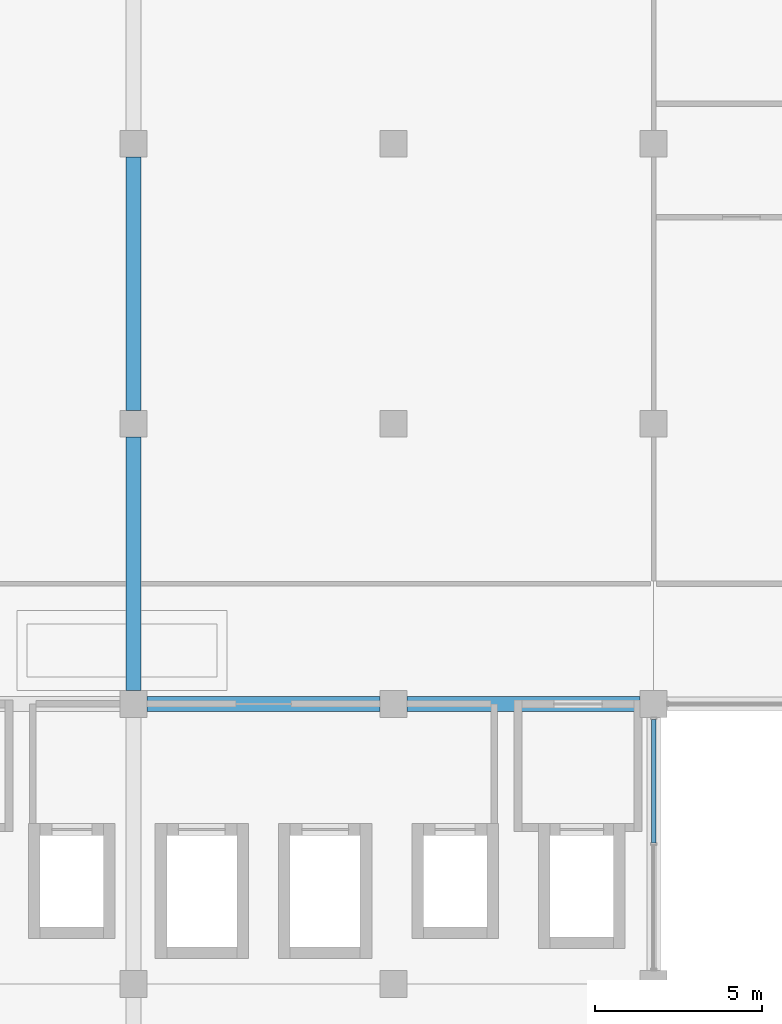
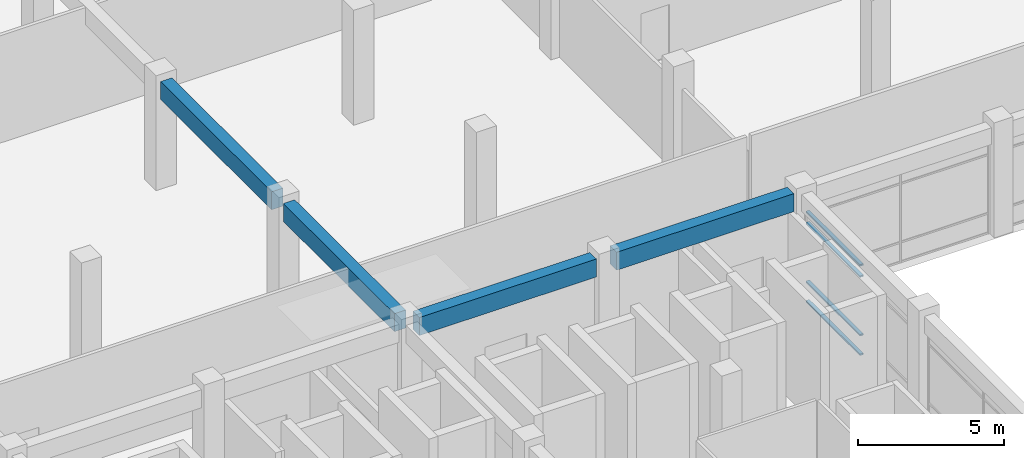
# One storey, part 5 of 62: 4 beams, 4 members, 1 element without a shape of its own.
"""IFC4 building model written with IfcOpenShell, lengths in metres."""

from ifc_helpers import new_model, si_unit, direction, frame, origin, origin_2d, place, context, subcontext, project, spatial, rectangle, hollow_rectangle, extrude, material, material_profile, profile_set, type_object, element, aggregate, save


model = new_model("IFC4")

# Units and contexts
model_context = context("Model", 3, precision=1e-05, world=origin(), true_north=direction((0.0, 1.0)))
body_context = subcontext(model_context, "Body", "Model", "MODEL_VIEW")
ifc_project = project(units=[si_unit("LENGTHUNIT", "METRE"), si_unit("AREAUNIT", "SQUARE_METRE"), si_unit("VOLUMEUNIT", "CUBIC_METRE"), si_unit("PLANEANGLEUNIT", "RADIAN"), si_unit("MASSUNIT", "GRAM", prefix="KILO"), si_unit("THERMODYNAMICTEMPERATUREUNIT", "KELVIN"), si_unit("POWERUNIT", "WATT")], contexts=[model_context])

# Site, building, storey
site_placement = place(None, origin())
site = spatial("IfcSite", under=ifc_project, at=site_placement, CompositionType="ELEMENT")
building_placement = place(site_placement, origin())
building = spatial("IfcBuilding", under=site, at=building_placement, Name="Srebrne Nadtorze General Hospital", CompositionType="ELEMENT")
storey_placement = place(building_placement, frame((0.0, 0.0, 9.60009765625)))
storey = spatial("IfcBuildingStorey", under=building, at=storey_placement, Name="L02", CompositionType="ELEMENT", Elevation=9.60009765625)

# Curtain wall, members
ifc_material_1 = material(Name="Anodised Aluminium", Category="aluminium")
curtain_wall_type = type_object("IfcCurtainWallType", Name="Unitised curtain wall 7600x3800", PredefinedType="NOTDEFINED", material=ifc_material_1)
curtain_wall_placement = place(storey_placement, origin())
curtain_wall = element("IfcCurtainWall", 1, at=curtain_wall_placement, inside=storey, type_object=curtain_wall_type, Name="Curtain wall CW-083", PredefinedType="NOTDEFINED")
ifc_material_2 = material(Name="Anodised Aluminium", Category="aluminium")
ifc_material_profile_1 = material_profile(ifc_material_2, hollow_rectangle(XDim=0.06494140625, YDim=0.139892578125, WallThickness=0.00390625, at=origin_2d()), Name="AL-TRN-65x140")
ifc_profile_set_1 = profile_set([ifc_material_profile_1], Name="Anodised Aluminium")
member_type = type_object("IfcMemberType", Name="Curtain transom 65x140", PredefinedType="USERDEFINED", material=ifc_profile_set_1)
member_1_placement = place(storey_placement, frame((54.60009765625, 46.232421875, 0.032470703125), z_axis=(0.0, 1.0, 0.0), x_axis=(0.0, 0.0, 1.0)))
member_1 = element("IfcMember", 2, at=member_1_placement, type_object=member_type, Name="CW-083 transom 2.1", ObjectType="TRANSOM", PredefinedType="USERDEFINED", context=body_context, shape_type="SweptSolid", body=[
    extrude(hollow_rectangle(XDim=0.06494140625, YDim=0.139892578125, WallThickness=0.00390625, at=origin_2d()), origin(), (0.0, 0.0, 1.0), 3.70263671875),
])
member_2_placement = place(storey_placement, frame((54.60009765625, 46.232421875, 0.849853515625), z_axis=(0.0, 1.0, 0.0), x_axis=(0.0, 0.0, 1.0)))
member_2 = element("IfcMember", 3, at=member_2_placement, type_object=member_type, Name="CW-083 transom 2.2", ObjectType="TRANSOM", PredefinedType="USERDEFINED", context=body_context, shape_type="SweptSolid", body=[
    extrude(hollow_rectangle(XDim=0.06494140625, YDim=0.139892578125, WallThickness=0.00390625, at=origin_2d()), origin(), (0.0, 0.0, 1.0), 3.70263671875),
])
member_3_placement = place(storey_placement, frame((54.60009765625, 46.232421875, 3.2998046875), z_axis=(0.0, 1.0, 0.0), x_axis=(0.0, 0.0, 1.0)))
member_3 = element("IfcMember", 4, at=member_3_placement, type_object=member_type, Name="CW-083 transom 2.3", ObjectType="TRANSOM", PredefinedType="USERDEFINED", context=body_context, shape_type="SweptSolid", body=[
    extrude(hollow_rectangle(XDim=0.06494140625, YDim=0.139892578125, WallThickness=0.00390625, at=origin_2d()), origin(), (0.0, 0.0, 1.0), 3.70263671875),
])
member_4_placement = place(storey_placement, frame((54.60009765625, 46.232421875, 3.767333984375), z_axis=(0.0, 1.0, 0.0), x_axis=(0.0, 0.0, 1.0)))
member_4 = element("IfcMember", 5, at=member_4_placement, type_object=member_type, Name="CW-083 transom 2.4", ObjectType="TRANSOM", PredefinedType="USERDEFINED", context=body_context, shape_type="SweptSolid", body=[
    extrude(hollow_rectangle(XDim=0.06494140625, YDim=0.139892578125, WallThickness=0.00390625, at=origin_2d()), origin(), (0.0, 0.0, 1.0), 3.70263671875),
])
aggregate(curtain_wall, [member_1, member_2, member_3, member_4])

# Beams
ifc_material_3 = material(Name="Concrete C40/50", Category="concrete")
ifc_material_profile_2 = material_profile(ifc_material_3, rectangle(XDim=0.449951171875, YDim=0.75, at=origin_2d()), Name="RC-BM-450x750")
ifc_profile_set_2 = profile_set([ifc_material_profile_2], Name="Concrete C40/50")
beam_type = type_object("IfcBeamType", Name="Primary beam RC 450x750", PredefinedType="BEAM", material=ifc_profile_set_2)
for number, where, z_axis, x_axis, name in (
    (6, (39.39990234375, 50.39990234375, 4.125), (1.0, 0.0, 0.0), (0.0, 1.0, 0.0), "Beam BM-L02-X-0580"),
    (7, (47.199951171875, 50.39990234375, 4.125), (1.0, 0.0, 0.0), (0.0, 1.0, 0.0), "Beam BM-L02-X-0581"),
):
    element("IfcBeam", number, at=place(storey_placement, frame(where, z_axis=z_axis, x_axis=x_axis)), inside=storey, type_object=beam_type, Name=name, PredefinedType="BEAM", context=body_context, shape_type="SweptSolid", body=[
        extrude(rectangle(XDim=0.449951171875, YDim=0.75, at=origin_2d()), origin(), (0.0, 0.0, 1.0), 7.0),
    ])
beam_1_placement = place(storey_placement, frame((39.0, 50.800048828125, 4.125), z_axis=(0.0, 1.0, 0.0), x_axis=(-1.0, 0.0, 0.0)))
element("IfcBeam", 8, at=beam_1_placement, inside=storey, type_object=beam_type, Name="Beam BM-L02-Y-0650", PredefinedType="BEAM", context=body_context, shape_type="SweptSolid", body=[
    extrude(rectangle(XDim=0.449951171875, YDim=0.75, at=origin_2d()), origin(), (0.0, 0.0, 1.0), 7.599853515625),
])
beam_2_placement = place(storey_placement, frame((39.0, 59.199951171875, 4.125), z_axis=(0.0, 1.0, 0.0), x_axis=(-1.0, 0.0, 0.0)))
element("IfcBeam", 9, at=beam_2_placement, inside=storey, type_object=beam_type, Name="Beam BM-L02-Y-0651", PredefinedType="BEAM", context=body_context, shape_type="SweptSolid", body=[
    extrude(rectangle(XDim=0.449951171875, YDim=0.75, at=origin_2d()), origin(), (0.0, 0.0, 1.0), 7.60009765625),
])

save(model, "model.ifc")
